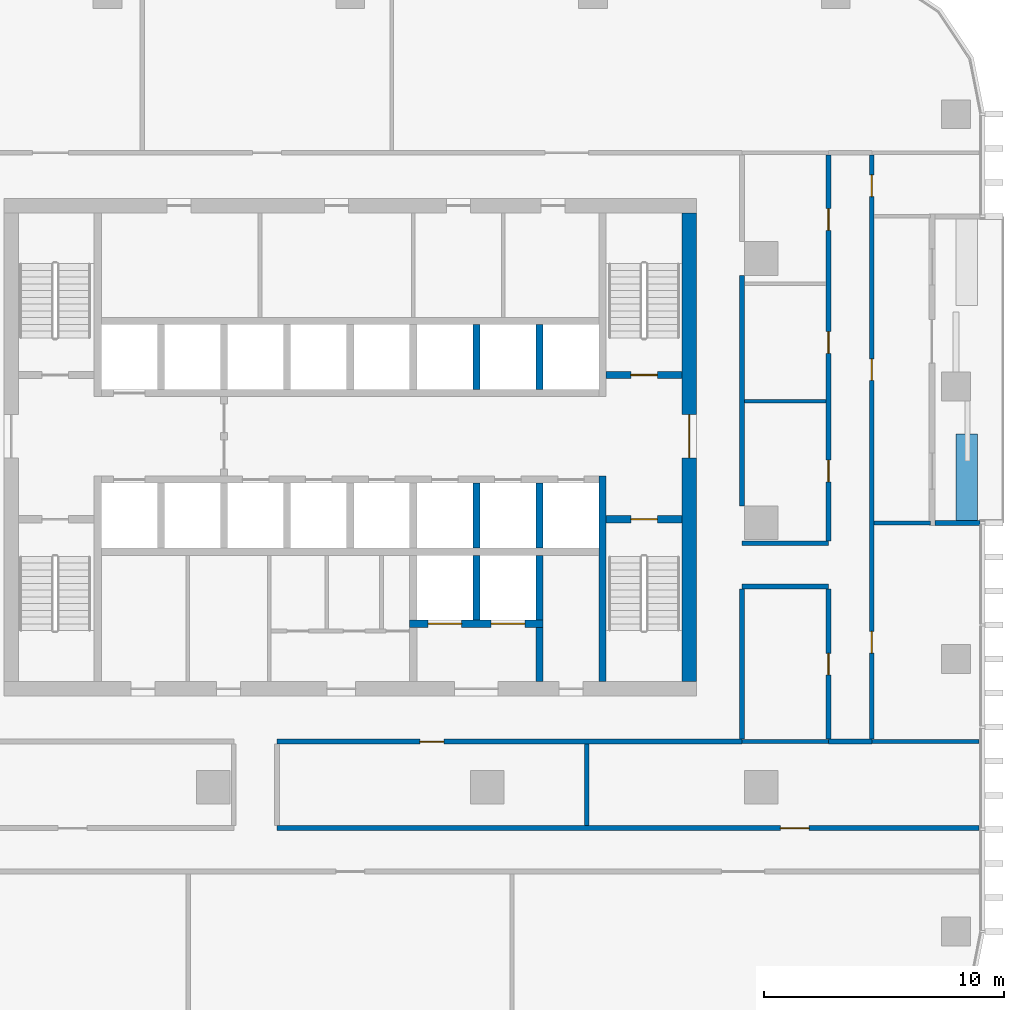
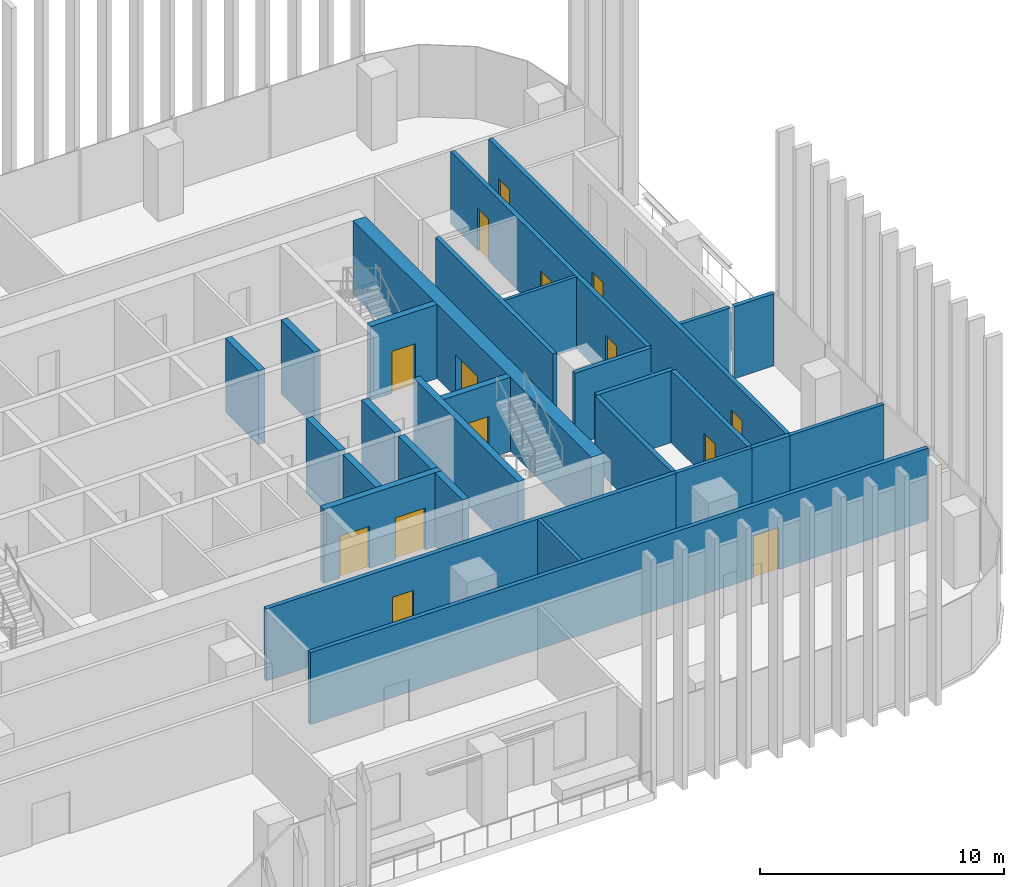
# One storey, part 9 of 15: 29 walls, 14 doors, 14 openings.
"""IFC4 building model written with IfcOpenShell, lengths in metres."""

from ifc_helpers import new_model, si_unit, direction, frame, frame_2d, origin, place, context, subcontext, project, spatial, rectangle, extrude, material, layer, layer_set, type_object, element, fill, save


model = new_model("IFC4")

# Units and contexts
model_context = context("Model", 3, precision=1e-05, world=origin(), true_north=direction((0.0, 1.0)))
body_context = subcontext(model_context, "Body", "Model", "MODEL_VIEW")
ifc_project = project(units=[si_unit("LENGTHUNIT", "METRE"), si_unit("AREAUNIT", "SQUARE_METRE"), si_unit("VOLUMEUNIT", "CUBIC_METRE"), si_unit("PLANEANGLEUNIT", "RADIAN"), si_unit("MASSUNIT", "GRAM", prefix="KILO")], contexts=[model_context])

# Site, building, storey
site_placement = place(None, origin())
site = spatial("IfcSite", under=ifc_project, at=site_placement, CompositionType="ELEMENT")
building_placement = place(site_placement, origin())
building = spatial("IfcBuilding", under=site, at=building_placement, Name="Mopane Tessera Tower", CompositionType="ELEMENT")
storey_placement = place(building_placement, frame((0.0, 0.0, 169.0)))
storey = spatial("IfcBuildingStorey", under=building, at=storey_placement, Name="L34", CompositionType="ELEMENT", Elevation=169.0)

# Wall, opening, door
ifc_material_1 = material(Name="Concrete C70/85", Category="concrete")
ifc_layer_1 = layer(ifc_material_1, 0.60009765625)
ifc_layer_set_1 = layer_set([ifc_layer_1], Name="Concrete C70/85")
wall_type_1 = type_object("IfcWallType", Name="Core shear wall 600 mm", PredefinedType="SHEAR", material=ifc_layer_set_1)
wall_1_placement = place(storey_placement, frame((14.10009765625, -6.60009765625, 0.0), z_axis=(0.0, 0.0, 1.0), x_axis=(0.0, 1.0, 0.0)))
wall_1 = element("IfcWall", 1, at=wall_1_placement, inside=storey, type_object=wall_type_1, Name="L34 Core wall east", PredefinedType="SHEAR", context=body_context, shape_type="SweptSolid", body=[
    extrude(rectangle(XDim=19.5, YDim=0.60009765625, at=frame_2d((9.75, 0.0))), origin(), (0.0, 0.0, 1.0), 3.699951171875),
])
opening_1_placement = place(wall_1_placement, frame((9.300048828125, 0.0, 0.0)))
opening_1 = element("IfcOpeningElement", 2, at=opening_1_placement, cuts=wall_1, Name="Opening SD2", PredefinedType="OPENING", context=body_context, shape_type="SweptSolid", body=[
    extrude(rectangle(XDim=1.800048828125, YDim=2.10009765625, at=frame_2d((0.89990234375, 1.050048828125))), frame((0.0, 0.31201171875, 0.0), z_axis=(0.0, -1.0, 0.0), x_axis=(1.0, 0.0, 0.0)), (0.0, 0.0, 1.0), 0.6240234375),
])
ifc_material_2 = material(Name="Steel fire door", Category="steel")
door_type_1 = type_object("IfcDoorType", Name="Core entrance double door 1800 x 2100", OperationType="DOUBLE_DOOR_SINGLE_SWING", PredefinedType="DOOR", material=ifc_material_2)
door_1_placement = place(opening_1_placement, origin())
door_1 = element("IfcDoor", 3, at=door_1_placement, inside=storey, type_object=door_type_1, Name="L34 Core entrance door east", OperationType="DOUBLE_DOOR_SINGLE_SWING", OverallHeight=2.10009765625, OverallWidth=1.800048828125, PredefinedType="DOOR", context=body_context, shape_type="SweptSolid", body=[
    extrude(rectangle(XDim=1.800048828125, YDim=2.10009765625, at=frame_2d((0.89990234375, 1.050048828125))), frame((0.0, 0.02490234375, 0.0), z_axis=(0.0, -1.0, 0.0), x_axis=(1.0, 0.0, 0.0)), (0.0, 0.0, 1.0), 0.050048828125),
])
fill(opening_1, door_1)

# Walls
ifc_material_3 = material(Name="Concrete C60/75", Category="concrete")
ifc_layer_2 = layer(ifc_material_3, 0.300048828125)
ifc_layer_set_2 = layer_set([ifc_layer_2], Name="Concrete C60/75")
wall_type_2 = type_object("IfcWallType", Name="Core spine wall 300 mm", PredefinedType="SHEAR", material=ifc_layer_set_2)
wall_2_placement = place(storey_placement, frame((10.5, -6.60009765625, 0.0), z_axis=(0.0, 0.0, 1.0), x_axis=(0.0, 1.0, 0.0)))
element("IfcWall", 4, at=wall_2_placement, inside=storey, type_object=wall_type_2, Name="L34 Core spine wall", PredefinedType="SHEAR", context=body_context, shape_type="SweptSolid", body=[
    extrude(rectangle(XDim=8.550048828125, YDim=0.300048828125, at=frame_2d((4.27490234375, 0.0))), origin(), (0.0, 0.0, 1.0), 3.699951171875),
])
ifc_material_4 = material(Name="Gypsum board on staggered steel studs, double layer each face, acoustic mineral wool infill", Category="steel")
ifc_layer_3 = layer(ifc_material_4, 0.175048828125)
ifc_layer_set_3 = layer_set([ifc_layer_3], Name="Gypsum board on staggered steel studs, double layer each face, acoustic mineral wool infill")
wall_type_3 = type_object("IfcWallType", Name="Gypsum board acoustic partition 175, rated EI 60", PredefinedType="PARTITIONING", material=ifc_layer_set_3)
wall_3_placement = place(storey_placement, frame((16.300048828125, -9.10009765625, 0.0), z_axis=(0.0, 0.0, 1.0), x_axis=(1.0, 0.0, 0.0)))
element("IfcWall", 5, at=wall_3_placement, inside=storey, type_object=wall_type_3, Name="Partition L34:006", PredefinedType="PARTITIONING", context=body_context, shape_type="SweptSolid", body=[
    extrude(rectangle(XDim=3.599853515625, YDim=0.175048828125, at=frame_2d((1.7998046875, 0.0))), origin(), (0.0, 0.0, 1.0), 3.60009765625),
])
wall_4_placement = place(storey_placement, frame((21.699951171875, -9.10009765625, 0.0), z_axis=(0.0, 0.0, 1.0), x_axis=(1.0, 0.0, 0.0)))
element("IfcWall", 6, at=wall_4_placement, inside=storey, type_object=wall_type_3, Name="Partition L34:007", PredefinedType="PARTITIONING", context=body_context, shape_type="SweptSolid", body=[
    extrude(rectangle(XDim=4.449951171875, YDim=0.175048828125, at=frame_2d((2.22509765625, 0.0))), origin(), (0.0, 0.0, 1.0), 3.60009765625),
])
wall_5_placement = place(storey_placement, frame((21.800048828125, 0.0, 0.0), z_axis=(0.0, 0.0, 1.0), x_axis=(1.0, 0.0, 0.0)))
element("IfcWall", 7, at=wall_5_placement, inside=storey, type_object=wall_type_3, Name="Partition L34:016", PredefinedType="PARTITIONING", context=body_context, shape_type="SweptSolid", body=[
    extrude(rectangle(XDim=2.349853515625, YDim=0.175048828125, at=frame_2d((1.1748046875, 0.0))), origin(), (0.0, 0.0, 1.0), 3.60009765625),
])
wall_6_placement = place(storey_placement, frame((9.844970703125, -12.60009765625, 0.0), z_axis=(0.0, 0.0, 1.0), x_axis=(0.0, 1.0, 0.0)))
element("IfcWall", 8, at=wall_6_placement, inside=storey, type_object=wall_type_3, Name="Partition L34:043", PredefinedType="PARTITIONING", context=body_context, shape_type="SweptSolid", body=[
    extrude(rectangle(XDim=3.400146484375, YDim=0.175048828125, at=frame_2d((1.7001953125, 0.0))), origin(), (0.0, 0.0, 1.0), 3.60009765625),
])

# Wall, opening, door
ifc_material_5 = material(Name="Gypsum board on steel studs, two layers each face, mineral wool infill", Category="steel")
ifc_layer_4 = layer(ifc_material_5, 0.199951171875)
ifc_layer_set_4 = layer_set([ifc_layer_4], Name="Gypsum board on steel studs, two layers each face, mineral wool infill")
wall_type_4 = type_object("IfcWallType", Name="Gypsum board corridor wall 200, rated EI 60", PredefinedType="PARTITIONING", material=ifc_layer_set_4)
wall_7_placement = place(storey_placement, frame((-3.0400390625, -12.699951171875, 0.0), z_axis=(0.0, 0.0, 1.0), x_axis=(1.0, 0.0, 0.0)))
wall_7 = element("IfcWall", 9, at=wall_7_placement, inside=storey, type_object=wall_type_4, Name="Partition L34:002", PredefinedType="PARTITIONING", context=body_context, shape_type="SweptSolid", body=[
    extrude(rectangle(XDim=29.18994140625, YDim=0.199951171875, at=frame_2d((14.594970703125, 0.0))), origin(), (0.0, 0.0, 1.0), 3.60009765625),
])
opening_2_placement = place(wall_7_placement, frame((20.9375, 0.0, 0.0)))
opening_2 = element("IfcOpeningElement", 10, at=opening_2_placement, cuts=wall_7, Name="Opening L34-05", PredefinedType="OPENING", context=body_context, shape_type="SweptSolid", body=[
    extrude(rectangle(XDim=1.199951171875, YDim=2.10009765625, at=frame_2d((0.60009765625, 1.050048828125))), frame((0.0, 0.112060546875, 0.0), z_axis=(0.0, -1.0, 0.0), x_axis=(1.0, 0.0, 0.0)), (0.0, 0.0, 1.0), 0.223876953125),
])
ifc_material_6 = material(Name="Timber veneered steel-framed fire door", Category="steel")
door_type_2 = type_object("IfcDoorType", Name="Fire door FD60 1200 x 2100", OperationType="SINGLE_SWING_LEFT", PredefinedType="DOOR", material=ifc_material_6)
door_2_placement = place(opening_2_placement, origin())
door_2 = element("IfcDoor", 11, at=door_2_placement, inside=storey, type_object=door_type_2, Name="Door L34-05", ObjectType="D15A", OperationType="SINGLE_SWING_RIGHT", OverallHeight=2.10009765625, OverallWidth=1.199951171875, PredefinedType="DOOR", context=body_context, shape_type="SweptSolid", body=[
    extrude(rectangle(XDim=1.199951171875, YDim=2.10009765625, at=frame_2d((0.60009765625, 1.050048828125))), frame((0.0, 0.02490234375, 0.0), z_axis=(0.0, -1.0, 0.0), x_axis=(1.0, 0.0, 0.0)), (0.0, 0.0, 1.0), 0.050048828125),
])
fill(opening_2, door_2)

wall_8_placement = place(storey_placement, frame((-3.0400390625, -9.10009765625, 0.0), z_axis=(0.0, 0.0, 1.0), x_axis=(1.0, 0.0, 0.0)))
wall_8 = element("IfcWall", 12, at=wall_8_placement, inside=storey, type_object=wall_type_4, Name="Partition L34:010", PredefinedType="PARTITIONING", context=body_context, shape_type="SweptSolid", body=[
    extrude(rectangle(XDim=19.340087890625, YDim=0.199951171875, at=frame_2d((9.669921875, 0.0))), origin(), (0.0, 0.0, 1.0), 3.60009765625),
])
opening_3_placement = place(wall_8_placement, frame((5.9423828125, 0.0, 0.0)))
opening_3 = element("IfcOpeningElement", 13, at=opening_3_placement, cuts=wall_8, Name="Opening L34-12", PredefinedType="OPENING", context=body_context, shape_type="SweptSolid", body=[
    extrude(rectangle(XDim=1.0, YDim=2.10009765625, at=frame_2d((0.5, 1.050048828125))), frame((0.0, 0.112060546875, 0.0), z_axis=(0.0, -1.0, 0.0), x_axis=(1.0, 0.0, 0.0)), (0.0, 0.0, 1.0), 0.223876953125),
])
ifc_material_7 = material(Name="Timber veneered steel-framed fire door", Category="steel")
door_type_3 = type_object("IfcDoorType", Name="Fire door FD60 1000 x 2100", OperationType="SINGLE_SWING_LEFT", PredefinedType="DOOR", material=ifc_material_7)
door_3_placement = place(opening_3_placement, origin())
door_3 = element("IfcDoor", 14, at=door_3_placement, inside=storey, type_object=door_type_3, Name="Door L34-12", ObjectType="D12A", OperationType="SINGLE_SWING_RIGHT", OverallHeight=2.10009765625, OverallWidth=1.0, PredefinedType="DOOR", context=body_context, shape_type="SweptSolid", body=[
    extrude(rectangle(XDim=1.0, YDim=2.10009765625, at=frame_2d((0.5, 1.050048828125))), frame((0.0, 0.02490234375, 0.0), z_axis=(0.0, -1.0, 0.0), x_axis=(1.0, 0.0, 0.0)), (0.0, 0.0, 1.0), 0.050048828125),
])
fill(opening_3, door_3)

# Walls
wall_9_placement = place(storey_placement, frame((19.89990234375, -9.10009765625, 0.0), z_axis=(0.0, 0.0, 1.0), x_axis=(1.0, 0.0, 0.0)))
element("IfcWall", 15, at=wall_9_placement, inside=storey, type_object=wall_type_4, Name="Partition L34:011", PredefinedType="PARTITIONING", context=body_context, shape_type="SweptSolid", body=[
    extrude(rectangle(XDim=1.800048828125, YDim=0.199951171875, at=frame_2d((0.89990234375, 0.0))), origin(), (0.0, 0.0, 1.0), 3.60009765625),
])
for number, where, z_axis, x_axis, name in (
    (16, (16.300048828125, -2.64990234375, 0.0), (0.0, 0.0, 1.0), (1.0, 0.0, 0.0), "Partition L34:012"),
    (17, (16.300048828125, -0.85009765625, 0.0), (0.0, 0.0, 1.0), (1.0, 0.0, 0.0), "Partition L34:014"),
):
    element("IfcWall", number, at=place(storey_placement, frame(where, z_axis=z_axis, x_axis=x_axis)), inside=storey, type_object=wall_type_4, Name=name, PredefinedType="PARTITIONING", context=body_context, shape_type="SweptSolid", body=[
        extrude(rectangle(XDim=3.599853515625, YDim=0.199951171875, at=frame_2d((1.7998046875, 0.0))), origin(), (0.0, 0.0, 1.0), 3.60009765625),
    ])
wall_10_placement = place(storey_placement, frame((16.300048828125, -9.0, 0.0), z_axis=(0.0, 0.0, 1.0), x_axis=(0.0, 1.0, 0.0)))
element("IfcWall", 18, at=wall_10_placement, inside=storey, type_object=wall_type_4, Name="Partition L34:044", PredefinedType="PARTITIONING", context=body_context, shape_type="SweptSolid", body=[
    extrude(rectangle(XDim=6.25, YDim=0.199951171875, at=frame_2d((3.125, 0.0))), origin(), (0.0, 0.0, 1.0), 3.60009765625),
])
wall_11_placement = place(storey_placement, frame((16.300048828125, 0.699951171875, 0.0), z_axis=(0.0, 0.0, 1.0), x_axis=(0.0, 1.0, 0.0)))
element("IfcWall", 19, at=wall_11_placement, inside=storey, type_object=wall_type_4, Name="Partition L34:045", PredefinedType="PARTITIONING", context=body_context, shape_type="SweptSolid", body=[
    extrude(rectangle(XDim=9.60009765625, YDim=0.199951171875, at=frame_2d((4.800048828125, 0.0))), origin(), (0.0, 0.0, 1.0), 3.60009765625),
])

# Wall, opening, door
wall_12_placement = place(storey_placement, frame((19.89990234375, -9.0, 0.0), z_axis=(0.0, 0.0, 1.0), x_axis=(0.0, 1.0, 0.0)))
wall_12 = element("IfcWall", 20, at=wall_12_placement, inside=storey, type_object=wall_type_4, Name="Partition L34:047", PredefinedType="PARTITIONING", context=body_context, shape_type="SweptSolid", body=[
    extrude(rectangle(XDim=6.25, YDim=0.199951171875, at=frame_2d((3.125, 0.0))), origin(), (0.0, 0.0, 1.0), 3.60009765625),
])
opening_4_placement = place(wall_12_placement, frame((2.675048828125, 0.0, 0.0)))
opening_4 = element("IfcOpeningElement", 21, at=opening_4_placement, cuts=wall_12, Name="Opening L34-17", PredefinedType="OPENING", context=body_context, shape_type="SweptSolid", body=[
    extrude(rectangle(XDim=0.89990234375, YDim=2.10009765625, at=frame_2d((0.449951171875, 1.050048828125))), frame((0.0, 0.112060546875, 0.0), z_axis=(0.0, -1.0, 0.0), x_axis=(1.0, 0.0, 0.0)), (0.0, 0.0, 1.0), 0.223876953125),
])
ifc_material_8 = material(Name="Timber veneered steel-framed fire door", Category="steel")
door_type_4 = type_object("IfcDoorType", Name="Fire door FD60 900 x 2100", OperationType="SINGLE_SWING_LEFT", PredefinedType="DOOR", material=ifc_material_8)
door_4_placement = place(opening_4_placement, origin())
door_4 = element("IfcDoor", 22, at=door_4_placement, inside=storey, type_object=door_type_4, Name="Door L34-17", ObjectType="D10A", OperationType="SINGLE_SWING_RIGHT", OverallHeight=2.10009765625, OverallWidth=0.89990234375, PredefinedType="DOOR", context=body_context, shape_type="SweptSolid", body=[
    extrude(rectangle(XDim=0.89990234375, YDim=2.10009765625, at=frame_2d((0.449951171875, 1.050048828125))), frame((0.0, 0.02490234375, 0.0), z_axis=(0.0, -1.0, 0.0), x_axis=(1.0, 0.0, 0.0)), (0.0, 0.0, 1.0), 0.050048828125),
])
fill(opening_4, door_4)

# Wall, openings, doors
wall_13_placement = place(storey_placement, frame((19.89990234375, -0.75, 0.0), z_axis=(0.0, 0.0, 1.0), x_axis=(0.0, 1.0, 0.0)))
wall_13 = element("IfcWall", 23, at=wall_13_placement, inside=storey, type_object=wall_type_4, Name="Partition L34:048", PredefinedType="PARTITIONING", context=body_context, shape_type="SweptSolid", body=[
    extrude(rectangle(XDim=16.050048828125, YDim=0.199951171875, at=frame_2d((8.02490234375, 0.0))), origin(), (0.0, 0.0, 1.0), 3.60009765625),
])
opening_5_placement = place(wall_13_placement, frame((2.455078125, 0.0, 0.0)))
opening_5 = element("IfcOpeningElement", 24, at=opening_5_placement, cuts=wall_13, Name="Opening L34-06", PredefinedType="OPENING", context=body_context, shape_type="SweptSolid", body=[
    extrude(rectangle(XDim=0.89990234375, YDim=2.10009765625, at=frame_2d((0.449951171875, 1.050048828125))), frame((0.0, 0.112060546875, 0.0), z_axis=(0.0, -1.0, 0.0), x_axis=(1.0, 0.0, 0.0)), (0.0, 0.0, 1.0), 0.223876953125),
])
opening_6_placement = place(wall_13_placement, frame((7.802490234375, 0.0, 0.0)))
opening_6 = element("IfcOpeningElement", 25, at=opening_6_placement, cuts=wall_13, Name="Opening L34-11", PredefinedType="OPENING", context=body_context, shape_type="SweptSolid", body=[
    extrude(rectangle(XDim=0.89990234375, YDim=2.10009765625, at=frame_2d((0.449951171875, 1.050048828125))), frame((0.0, 0.112060546875, 0.0), z_axis=(0.0, -1.0, 0.0), x_axis=(1.0, 0.0, 0.0)), (0.0, 0.0, 1.0), 0.223876953125),
])
opening_7_placement = place(wall_13_placement, frame((12.922607421875, 0.0, 0.0)))
opening_7 = element("IfcOpeningElement", 26, at=opening_7_placement, cuts=wall_13, Name="Opening L34-18", PredefinedType="OPENING", context=body_context, shape_type="SweptSolid", body=[
    extrude(rectangle(XDim=0.89990234375, YDim=2.10009765625, at=frame_2d((0.449951171875, 1.050048828125))), frame((0.0, 0.112060546875, 0.0), z_axis=(0.0, -1.0, 0.0), x_axis=(1.0, 0.0, 0.0)), (0.0, 0.0, 1.0), 0.223876953125),
])
door_5_placement = place(opening_5_placement, origin())
door_5 = element("IfcDoor", 27, at=door_5_placement, inside=storey, type_object=door_type_4, Name="Door L34-06", ObjectType="D10A", OperationType="SINGLE_SWING_LEFT", OverallHeight=2.10009765625, OverallWidth=0.89990234375, PredefinedType="DOOR", context=body_context, shape_type="SweptSolid", body=[
    extrude(rectangle(XDim=0.89990234375, YDim=2.10009765625, at=frame_2d((0.449951171875, 1.050048828125))), frame((0.0, 0.02490234375, 0.0), z_axis=(0.0, -1.0, 0.0), x_axis=(1.0, 0.0, 0.0)), (0.0, 0.0, 1.0), 0.050048828125),
])
fill(opening_5, door_5)
door_6_placement = place(opening_6_placement, origin())
door_6 = element("IfcDoor", 28, at=door_6_placement, inside=storey, type_object=door_type_4, Name="Door L34-11", ObjectType="D10A", OperationType="SINGLE_SWING_RIGHT", OverallHeight=2.10009765625, OverallWidth=0.89990234375, PredefinedType="DOOR", context=body_context, shape_type="SweptSolid", body=[
    extrude(rectangle(XDim=0.89990234375, YDim=2.10009765625, at=frame_2d((0.449951171875, 1.050048828125))), frame((0.0, 0.02490234375, 0.0), z_axis=(0.0, -1.0, 0.0), x_axis=(1.0, 0.0, 0.0)), (0.0, 0.0, 1.0), 0.050048828125),
])
fill(opening_6, door_6)
door_7_placement = place(opening_7_placement, origin())
door_7 = element("IfcDoor", 29, at=door_7_placement, inside=storey, type_object=door_type_4, Name="Door L34-18", ObjectType="D10A", OperationType="SINGLE_SWING_LEFT", OverallHeight=2.10009765625, OverallWidth=0.89990234375, PredefinedType="DOOR", context=body_context, shape_type="SweptSolid", body=[
    extrude(rectangle(XDim=0.89990234375, YDim=2.10009765625, at=frame_2d((0.449951171875, 1.050048828125))), frame((0.0, 0.02490234375, 0.0), z_axis=(0.0, -1.0, 0.0), x_axis=(1.0, 0.0, 0.0)), (0.0, 0.0, 1.0), 0.050048828125),
])
fill(opening_7, door_7)

wall_14_placement = place(storey_placement, frame((21.699951171875, -9.0, 0.0), z_axis=(0.0, 0.0, 1.0), x_axis=(0.0, 1.0, 0.0)))
wall_14 = element("IfcWall", 30, at=wall_14_placement, inside=storey, type_object=wall_type_4, Name="Partition L34:049", PredefinedType="PARTITIONING", context=body_context, shape_type="SweptSolid", body=[
    extrude(rectangle(XDim=24.300048828125, YDim=0.199951171875, at=frame_2d((12.14990234375, 0.0))), origin(), (0.0, 0.0, 1.0), 3.60009765625),
])
opening_8_placement = place(wall_14_placement, frame((3.58251953125, 0.0, 0.0)))
opening_8 = element("IfcOpeningElement", 31, at=opening_8_placement, cuts=wall_14, Name="Opening L34-02", PredefinedType="OPENING", context=body_context, shape_type="SweptSolid", body=[
    extrude(rectangle(XDim=0.89990234375, YDim=2.10009765625, at=frame_2d((0.449951171875, 1.050048828125))), frame((0.0, 0.112060546875, 0.0), z_axis=(0.0, -1.0, 0.0), x_axis=(1.0, 0.0, 0.0)), (0.0, 0.0, 1.0), 0.223876953125),
])
opening_9_placement = place(wall_14_placement, frame((22.574951171875, 0.0, 0.0)))
opening_9 = element("IfcOpeningElement", 32, at=opening_9_placement, cuts=wall_14, Name="Opening L34-03", PredefinedType="OPENING", context=body_context, shape_type="SweptSolid", body=[
    extrude(rectangle(XDim=0.89990234375, YDim=2.10009765625, at=frame_2d((0.449951171875, 1.050048828125))), frame((0.0, 0.112060546875, 0.0), z_axis=(0.0, -1.0, 0.0), x_axis=(1.0, 0.0, 0.0)), (0.0, 0.0, 1.0), 0.223876953125),
])
opening_10_placement = place(wall_14_placement, frame((14.925048828125, 0.0, 0.0)))
opening_10 = element("IfcOpeningElement", 33, at=opening_10_placement, cuts=wall_14, Name="Opening L34-09", PredefinedType="OPENING", context=body_context, shape_type="SweptSolid", body=[
    extrude(rectangle(XDim=0.89990234375, YDim=2.10009765625, at=frame_2d((0.449951171875, 1.050048828125))), frame((0.0, 0.112060546875, 0.0), z_axis=(0.0, -1.0, 0.0), x_axis=(1.0, 0.0, 0.0)), (0.0, 0.0, 1.0), 0.223876953125),
])
door_8_placement = place(opening_8_placement, origin())
door_8 = element("IfcDoor", 34, at=door_8_placement, inside=storey, type_object=door_type_4, Name="Door L34-02", ObjectType="D10A", OperationType="SINGLE_SWING_RIGHT", OverallHeight=2.10009765625, OverallWidth=0.89990234375, PredefinedType="DOOR", context=body_context, shape_type="SweptSolid", body=[
    extrude(rectangle(XDim=0.89990234375, YDim=2.10009765625, at=frame_2d((0.449951171875, 1.050048828125))), frame((0.0, 0.02490234375, 0.0), z_axis=(0.0, -1.0, 0.0), x_axis=(1.0, 0.0, 0.0)), (0.0, 0.0, 1.0), 0.050048828125),
])
fill(opening_8, door_8)
door_9_placement = place(opening_9_placement, origin())
door_9 = element("IfcDoor", 35, at=door_9_placement, inside=storey, type_object=door_type_4, Name="Door L34-03", ObjectType="D10A", OperationType="SINGLE_SWING_LEFT", OverallHeight=2.10009765625, OverallWidth=0.89990234375, PredefinedType="DOOR", context=body_context, shape_type="SweptSolid", body=[
    extrude(rectangle(XDim=0.89990234375, YDim=2.10009765625, at=frame_2d((0.449951171875, 1.050048828125))), frame((0.0, 0.02490234375, 0.0), z_axis=(0.0, -1.0, 0.0), x_axis=(1.0, 0.0, 0.0)), (0.0, 0.0, 1.0), 0.050048828125),
])
fill(opening_9, door_9)
door_10_placement = place(opening_10_placement, origin())
door_10 = element("IfcDoor", 36, at=door_10_placement, inside=storey, type_object=door_type_4, Name="Door L34-09", ObjectType="D10A", OperationType="SINGLE_SWING_LEFT", OverallHeight=2.10009765625, OverallWidth=0.89990234375, PredefinedType="DOOR", context=body_context, shape_type="SweptSolid", body=[
    extrude(rectangle(XDim=0.89990234375, YDim=2.10009765625, at=frame_2d((0.449951171875, 1.050048828125))), frame((0.0, 0.02490234375, 0.0), z_axis=(0.0, -1.0, 0.0), x_axis=(1.0, 0.0, 0.0)), (0.0, 0.0, 1.0), 0.050048828125),
])
fill(opening_10, door_10)

# Wall
ifc_material_9 = material(Name="Gypsum board on steel studs, mineral wool infill", Category="steel")
ifc_layer_5 = layer(ifc_material_9, 0.14990234375)
ifc_layer_set_5 = layer_set([ifc_layer_5], Name="Gypsum board on steel studs, mineral wool infill")
wall_type_5 = type_object("IfcWallType", Name="Gypsum board partition 150, rated EI 60", PredefinedType="PARTITIONING", material=ifc_layer_set_5)
wall_15_placement = place(storey_placement, frame((16.39990234375, 5.06005859375, 0.0), z_axis=(0.0, 0.0, 1.0), x_axis=(1.0, 0.0, 0.0)))
element("IfcWall", 37, at=wall_15_placement, inside=storey, type_object=wall_type_5, Name="Partition L34:018", PredefinedType="PARTITIONING", context=body_context, shape_type="SweptSolid", body=[
    extrude(rectangle(XDim=3.400146484375, YDim=0.14990234375, at=frame_2d((1.7001953125, 0.0))), origin(), (0.0, 0.0, 1.0), 3.60009765625),
])

# Wall, opening, door
ifc_material_10 = material(Name="Concrete C50/60", Category="concrete")
ifc_layer_6 = layer(ifc_material_10, 0.300048828125)
ifc_layer_set_6 = layer_set([ifc_layer_6], Name="Concrete C50/60")
wall_type_6 = type_object("IfcWallType", Name="Lift and stair shaft wall 300 mm", PredefinedType="SOLIDWALL", material=ifc_layer_set_6)
wall_16_placement = place(storey_placement, frame((10.64990234375, 0.14990234375, 0.0), z_axis=(0.0, 0.0, 1.0), x_axis=(1.0, 0.0, 0.0)))
wall_16 = element("IfcWall", 38, at=wall_16_placement, inside=storey, type_object=wall_type_6, Name="L34 Stair enclosure wall", PredefinedType="SOLIDWALL", context=body_context, shape_type="SweptSolid", body=[
    extrude(rectangle(XDim=3.150146484375, YDim=0.300048828125, at=frame_2d((1.5751953125, 0.0))), origin(), (0.0, 0.0, 1.0), 3.699951171875),
])
opening_11_placement = place(wall_16_placement, frame((1.02490234375, 0.0, 0.0)))
opening_11 = element("IfcOpeningElement", 39, at=opening_11_placement, cuts=wall_16, Name="Opening SD1", PredefinedType="OPENING", context=body_context, shape_type="SweptSolid", body=[
    extrude(rectangle(XDim=1.10009765625, YDim=2.10009765625, at=frame_2d((0.550048828125, 1.050048828125))), frame((0.0, 0.162109375, 0.0), z_axis=(0.0, -1.0, 0.0), x_axis=(1.0, 0.0, 0.0)), (0.0, 0.0, 1.0), 0.323974609375),
])
ifc_material_11 = material(Name="Steel fire door", Category="steel")
door_type_5 = type_object("IfcDoorType", Name="Stair fire door 1100 x 2100", OperationType="SINGLE_SWING_LEFT", PredefinedType="DOOR", material=ifc_material_11)
door_11_placement = place(opening_11_placement, origin())
door_11 = element("IfcDoor", 40, at=door_11_placement, inside=storey, type_object=door_type_5, Name="L34 Stair door ST3", OperationType="SINGLE_SWING_RIGHT", OverallHeight=2.10009765625, OverallWidth=1.10009765625, PredefinedType="DOOR", context=body_context, shape_type="SweptSolid", body=[
    extrude(rectangle(XDim=1.10009765625, YDim=2.10009765625, at=frame_2d((0.550048828125, 1.050048828125))), frame((0.0, 0.02490234375, 0.0), z_axis=(0.0, -1.0, 0.0), x_axis=(1.0, 0.0, 0.0)), (0.0, 0.0, 1.0), 0.050048828125),
])
fill(opening_11, door_11)

wall_17_placement = place(storey_placement, frame((10.64990234375, 6.14990234375, 0.0), z_axis=(0.0, 0.0, 1.0), x_axis=(1.0, 0.0, 0.0)))
wall_17 = element("IfcWall", 41, at=wall_17_placement, inside=storey, type_object=wall_type_6, Name="L34 Stair enclosure wall", PredefinedType="SOLIDWALL", context=body_context, shape_type="SweptSolid", body=[
    extrude(rectangle(XDim=3.150146484375, YDim=0.300048828125, at=frame_2d((1.5751953125, 0.0))), origin(), (0.0, 0.0, 1.0), 3.699951171875),
])
opening_12_placement = place(wall_17_placement, frame((1.02490234375, 0.0, 0.0)))
opening_12 = element("IfcOpeningElement", 42, at=opening_12_placement, cuts=wall_17, Name="Opening SD1", PredefinedType="OPENING", context=body_context, shape_type="SweptSolid", body=[
    extrude(rectangle(XDim=1.10009765625, YDim=2.10009765625, at=frame_2d((0.550048828125, 1.050048828125))), frame((0.0, 0.162109375, 0.0), z_axis=(0.0, -1.0, 0.0), x_axis=(1.0, 0.0, 0.0)), (0.0, 0.0, 1.0), 0.323974609375),
])
door_12_placement = place(opening_12_placement, origin())
door_12 = element("IfcDoor", 43, at=door_12_placement, inside=storey, type_object=door_type_5, Name="L34 Stair door ST4", OperationType="SINGLE_SWING_RIGHT", OverallHeight=2.10009765625, OverallWidth=1.10009765625, PredefinedType="DOOR", context=body_context, shape_type="SweptSolid", body=[
    extrude(rectangle(XDim=1.10009765625, YDim=2.10009765625, at=frame_2d((0.550048828125, 1.050048828125))), frame((0.0, 0.02490234375, 0.0), z_axis=(0.0, -1.0, 0.0), x_axis=(1.0, 0.0, 0.0)), (0.0, 0.0, 1.0), 0.050048828125),
])
fill(opening_12, door_12)

# Walls
for number, where, z_axis, x_axis, name in (
    (44, (5.25, -1.050048828125, 0.0), (0.0, 0.0, 1.0), (0.0, 1.0, 0.0), "L34 Lift shaft wall"),
    (45, (7.875, -1.050048828125, 0.0), (0.0, 0.0, 1.0), (0.0, 1.0, 0.0), "L34 Lift shaft wall"),
    (46, (5.25, 5.550048828125, 0.0), (0.0, 0.0, 1.0), (0.0, 1.0, 0.0), "L34 Lift shaft wall"),
    (47, (7.875, 5.550048828125, 0.0), (0.0, 0.0, 1.0), (0.0, 1.0, 0.0), "L34 Lift shaft wall"),
):
    element("IfcWall", number, at=place(storey_placement, frame(where, z_axis=z_axis, x_axis=x_axis)), inside=storey, type_object=wall_type_6, Name=name, PredefinedType="SOLIDWALL", context=body_context, shape_type="SweptSolid", body=[
        extrude(rectangle(XDim=2.699951171875, YDim=0.300048828125, at=frame_2d((1.35009765625, 0.0))), origin(), (0.0, 0.0, 1.0), 3.699951171875),
    ])

# Wall, openings, doors
wall_18_placement = place(storey_placement, frame((2.47509765625, -4.199951171875, 0.0), z_axis=(0.0, 0.0, 1.0), x_axis=(1.0, 0.0, 0.0)))
wall_18 = element("IfcWall", 48, at=wall_18_placement, inside=storey, type_object=wall_type_6, Name="L34 Lift shaft front wall", PredefinedType="SOLIDWALL", context=body_context, shape_type="SweptSolid", body=[
    extrude(rectangle(XDim=5.5498046875, YDim=0.300048828125, at=frame_2d((2.77490234375, 0.0))), origin(), (0.0, 0.0, 1.0), 3.699951171875),
])
opening_13_placement = place(wall_18_placement, frame((0.762451171875, 0.0, 0.0)))
opening_13 = element("IfcOpeningElement", 49, at=opening_13_placement, cuts=wall_18, Name="Opening LD3", PredefinedType="OPENING", context=body_context, shape_type="SweptSolid", body=[
    extrude(rectangle(XDim=1.39990234375, YDim=2.10009765625, at=frame_2d((0.699951171875, 1.050048828125))), frame((0.0, 0.162109375, 0.0), z_axis=(0.0, -1.0, 0.0), x_axis=(1.0, 0.0, 0.0)), (0.0, 0.0, 1.0), 0.323974609375),
])
opening_14_placement = place(wall_18_placement, frame((3.387451171875, 0.0, 0.0)))
opening_14 = element("IfcOpeningElement", 50, at=opening_14_placement, cuts=wall_18, Name="Opening LD3", PredefinedType="OPENING", context=body_context, shape_type="SweptSolid", body=[
    extrude(rectangle(XDim=1.39990234375, YDim=2.10009765625, at=frame_2d((0.699951171875, 1.050048828125))), frame((0.0, 0.162109375, 0.0), z_axis=(0.0, -1.0, 0.0), x_axis=(1.0, 0.0, 0.0)), (0.0, 0.0, 1.0), 0.323974609375),
])
ifc_material_12 = material(Name="Stainless steel sliding door", Category="steel")
door_type_6 = type_object("IfcDoorType", Name="Service lift landing door 1400 x 2100", OperationType="DOUBLE_DOOR_SLIDING", PredefinedType="DOOR", material=ifc_material_12)
door_13_placement = place(opening_13_placement, origin())
door_13 = element("IfcDoor", 51, at=door_13_placement, inside=storey, type_object=door_type_6, Name="L34 Lift landing door SV1", OperationType="DOUBLE_DOOR_SLIDING", OverallHeight=2.10009765625, OverallWidth=1.39990234375, PredefinedType="DOOR", context=body_context, shape_type="SweptSolid", body=[
    extrude(rectangle(XDim=1.39990234375, YDim=2.10009765625, at=frame_2d((0.699951171875, 1.050048828125))), frame((0.0, 0.02490234375, 0.0), z_axis=(0.0, -1.0, 0.0), x_axis=(1.0, 0.0, 0.0)), (0.0, 0.0, 1.0), 0.050048828125),
])
fill(opening_13, door_13)
door_14_placement = place(opening_14_placement, origin())
door_14 = element("IfcDoor", 52, at=door_14_placement, inside=storey, type_object=door_type_6, Name="L34 Lift landing door SV2", OperationType="DOUBLE_DOOR_SLIDING", OverallHeight=2.10009765625, OverallWidth=1.39990234375, PredefinedType="DOOR", context=body_context, shape_type="SweptSolid", body=[
    extrude(rectangle(XDim=1.39990234375, YDim=2.10009765625, at=frame_2d((0.699951171875, 1.050048828125))), frame((0.0, 0.02490234375, 0.0), z_axis=(0.0, -1.0, 0.0), x_axis=(1.0, 0.0, 0.0)), (0.0, 0.0, 1.0), 0.050048828125),
])
fill(opening_14, door_14)

# Walls
for number, where, z_axis, x_axis, name in (
    (53, (5.25, -4.050048828125, 0.0), (0.0, 0.0, 1.0), (0.0, 1.0, 0.0), "L34 Lift shaft wall"),
    (54, (7.875, -4.050048828125, 0.0), (0.0, 0.0, 1.0), (0.0, 1.0, 0.0), "L34 Lift shaft wall"),
):
    element("IfcWall", number, at=place(storey_placement, frame(where, z_axis=z_axis, x_axis=x_axis)), inside=storey, type_object=wall_type_6, Name=name, PredefinedType="SOLIDWALL", context=body_context, shape_type="SweptSolid", body=[
        extrude(rectangle(XDim=2.699951171875, YDim=0.300048828125, at=frame_2d((1.35009765625, 0.0))), origin(), (0.0, 0.0, 1.0), 3.699951171875),
    ])
ifc_material_13 = material(Name="Concrete C50/60", Category="concrete")
ifc_layer_7 = layer(ifc_material_13, 0.300048828125)
ifc_layer_set_7 = layer_set([ifc_layer_7], Name="Concrete C50/60")
wall_type_7 = type_object("IfcWallType", Name="Lobby and refuge room wall 300 mm", PredefinedType="SOLIDWALL", material=ifc_layer_set_7)
wall_19_placement = place(storey_placement, frame((7.875, -6.60009765625, 0.0), z_axis=(0.0, 0.0, 1.0), x_axis=(0.0, 1.0, 0.0)))
element("IfcWall", 55, at=wall_19_placement, inside=storey, type_object=wall_type_7, Name="L34 Service lobby wall", PredefinedType="SOLIDWALL", context=body_context, shape_type="SweptSolid", body=[
    extrude(rectangle(XDim=2.25, YDim=0.300048828125, at=frame_2d((1.125, 0.0))), origin(), (0.0, 0.0, 1.0), 3.699951171875),
])
ifc_material_14 = material(Name="Reinforced concrete C32/40 with waterproofing", Category="concrete")
ifc_layer_8 = layer(ifc_material_14, 0.89990234375)
ifc_layer_set_8 = layer_set([ifc_layer_8], Name="Reinforced concrete C32/40 with waterproofing")
wall_type_8 = type_object("IfcWallType", Name="Planter trough 3600 x 900", PredefinedType="STANDARD", material=ifc_layer_set_8)
wall_20_placement = place(storey_placement, frame((25.64990234375, 0.10009765625, 0.0), z_axis=(0.0, 0.0, 1.0), x_axis=(0.0, 1.0, 0.0)))
element("IfcWall", 56, at=wall_20_placement, inside=storey, type_object=wall_type_8, Name="e:nw:L34:N3:pl0", PredefinedType="STANDARD", context=body_context, shape_type="SweptSolid", body=[
    extrude(rectangle(XDim=3.599853515625, YDim=0.89990234375, at=frame_2d((1.7998046875, 0.0))), origin(), (0.0, 0.0, 1.0), 0.699951171875),
])
ifc_material_15 = material(Name="Blockwork with glazed tile facing", Category="masonry")
ifc_layer_9 = layer(ifc_material_15, 0.199951171875)
ifc_layer_set_9 = layer_set([ifc_layer_9], Name="Blockwork with glazed tile facing")
wall_type_9 = type_object("IfcWallType", Name="Terrace cheek wall 200", PredefinedType="STANDARD", material=ifc_layer_set_9)
wall_21_placement = place(storey_placement, frame((26.199951171875, 0.0, 0.0), z_axis=(0.0, 0.0, 1.0), x_axis=(-1.0, 0.0, 0.0)))
element("IfcWall", 57, at=wall_21_placement, inside=storey, type_object=wall_type_9, Name="e:nw:L34:N3:cheeka", PredefinedType="STANDARD", context=body_context, shape_type="SweptSolid", body=[
    extrude(rectangle(XDim=1.875, YDim=0.199951171875, at=frame_2d((0.9375, 0.0))), origin(), (0.0, 0.0, 1.0), 3.60009765625),
])

save(model, "model.ifc")
